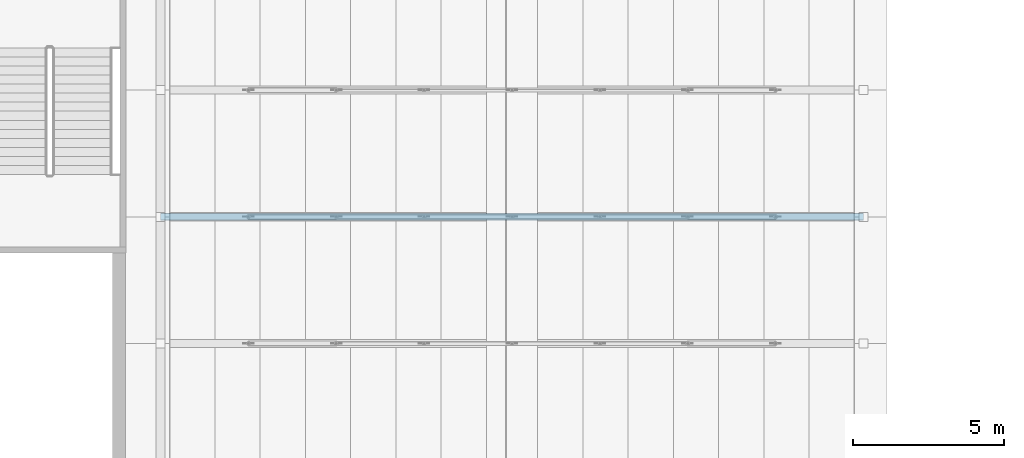
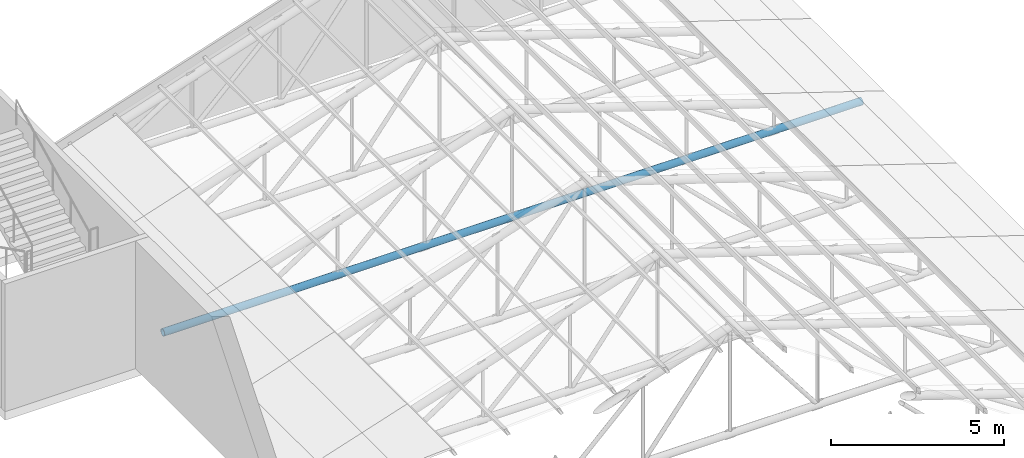
# One storey, part 45 of 95: 1 member.
"""IFC4 building model written with IfcOpenShell, lengths in metres."""

from ifc_helpers import new_model, si_unit, direction, frame, origin, origin_2d, place, context, subcontext, project, spatial, hollow_circle, extrude, material, material_profile, profile_set, type_object, element, save


model = new_model("IFC4")

# Units and contexts
model_context = context("Model", 3, precision=1e-05, world=origin(), true_north=direction((0.0, 1.0)))
body_context = subcontext(model_context, "Body", "Model", "MODEL_VIEW")
ifc_project = project(units=[si_unit("LENGTHUNIT", "METRE"), si_unit("AREAUNIT", "SQUARE_METRE"), si_unit("VOLUMEUNIT", "CUBIC_METRE"), si_unit("PLANEANGLEUNIT", "RADIAN"), si_unit("MASSUNIT", "GRAM", prefix="KILO")], contexts=[model_context])

# Site, building, storey
site_placement = place(None, origin())
site = spatial("IfcSite", under=ifc_project, at=site_placement, CompositionType="ELEMENT")
building_placement = place(site_placement, origin())
building = spatial("IfcBuilding", under=site, at=building_placement, Name="Kiln Court Media Centre", CompositionType="ELEMENT")
storey_placement = place(building_placement, frame((0.0, 0.0, 24.60009765625)))
storey = spatial("IfcBuildingStorey", under=building, at=storey_placement, Name="L05", CompositionType="ELEMENT", Elevation=24.60009765625)

# Member
ifc_material = material(Name="Steel ASTM A500 Gr C", Category="steel")
ifc_material_profile = material_profile(ifc_material, hollow_circle(Radius=0.122314453125, WallThickness=0.010009765625, at=origin_2d()), Name="CHS 244.5x10.0")
ifc_profile_set = profile_set([ifc_material_profile], Name="Steel ASTM A500 Gr C")
member_type = type_object("IfcMemberType", Name="Steel ASTM A500 Gr C CHS 244.5x10.0 truss chord", PredefinedType="CHORD", material=ifc_profile_set)
member_placement = place(storey_placement, frame((34.75, 58.800048828125, -0.013916015625), z_axis=(1.0, 0.0, 0.0), x_axis=(0.0, 1.0, 0.0)))
element("IfcMember", 1, at=member_placement, inside=storey, type_object=member_type, Name="foyer truss FT-09 bottom chord truss chord", PredefinedType="CHORD", context=body_context, shape_type="SweptSolid", body=[
    extrude(hollow_circle(Radius=0.122314453125, WallThickness=0.010009765625, at=origin_2d()), origin(), (0.0, 0.0, 1.0), 23.300048828125),
])

save(model, "model.ifc")
